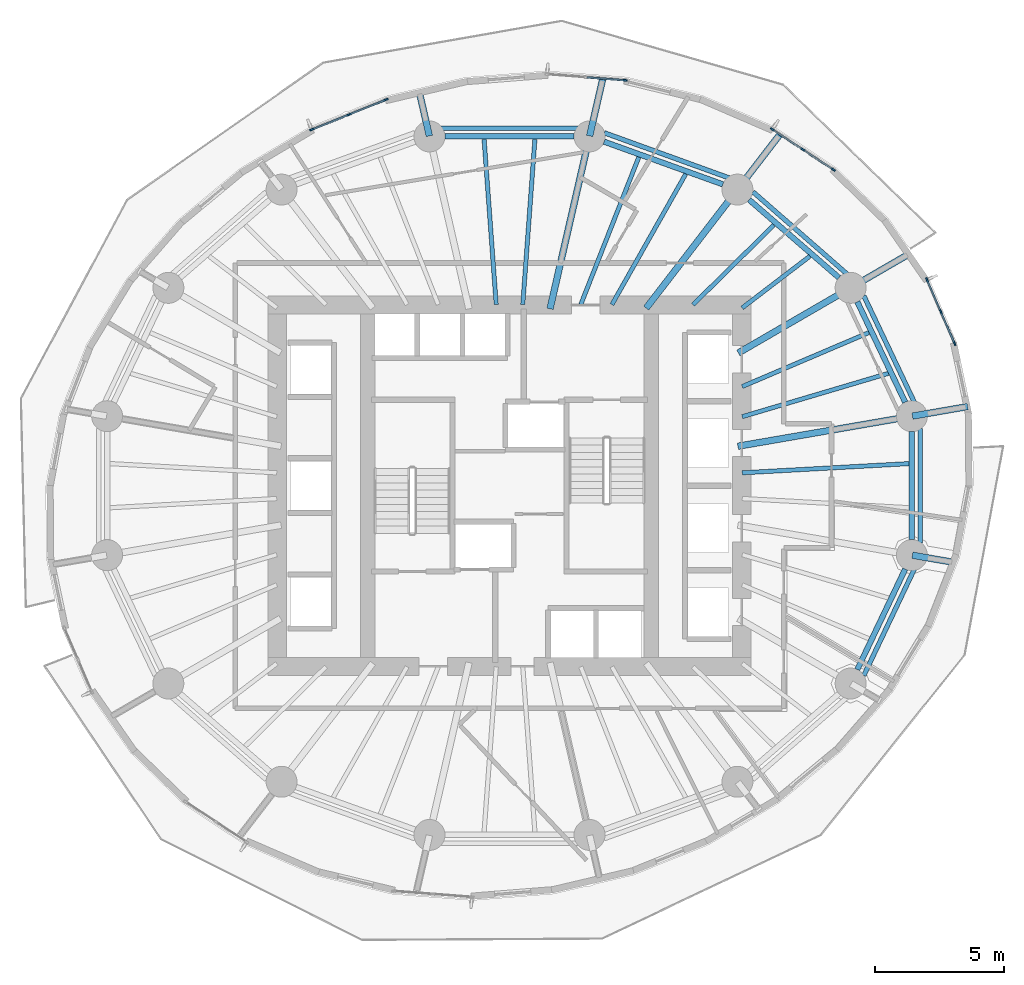
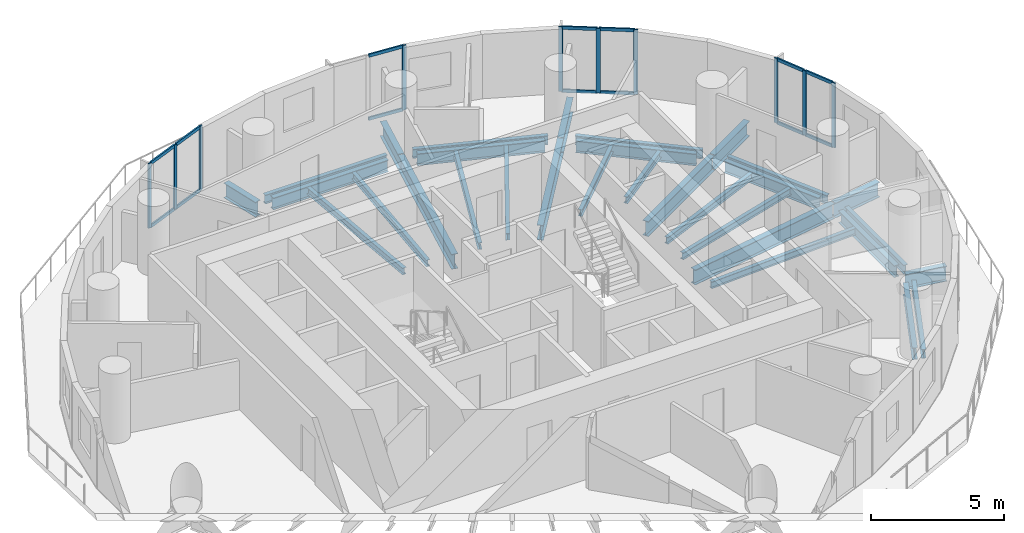
# One storey, part 4 of 14: 31 beams, 24 members, 4 elements without a shape of their own.
"""IFC4 building model written with IfcOpenShell, lengths in metres."""

from ifc_helpers import new_model, si_unit, direction, frame, origin, origin_2d, place, context, subcontext, project, spatial, rectangle, i_section, extrude, material, material_profile, profile_set, type_object, element, aggregate, save


model = new_model("IFC4")

# Units and contexts
model_context = context("Model", 3, precision=1e-05, world=origin(), true_north=direction((0.0, 1.0)))
body_context = subcontext(model_context, "Body", "Model", "MODEL_VIEW")
ifc_project = project(units=[si_unit("LENGTHUNIT", "METRE"), si_unit("AREAUNIT", "SQUARE_METRE"), si_unit("VOLUMEUNIT", "CUBIC_METRE"), si_unit("PLANEANGLEUNIT", "RADIAN"), si_unit("MASSUNIT", "GRAM", prefix="KILO")], contexts=[model_context])

# Site, building, storey
site_placement = place(None, origin())
site = spatial("IfcSite", under=ifc_project, at=site_placement, CompositionType="ELEMENT")
building_placement = place(site_placement, origin())
building = spatial("IfcBuilding", under=site, at=building_placement, Name="Veldorim Arch Residences", CompositionType="ELEMENT")
storey_placement = place(building_placement, frame((0.0, 0.0, 74.080078125)))
storey = spatial("IfcBuildingStorey", under=building, at=storey_placement, Name="L21", CompositionType="ELEMENT", Elevation=74.080078125)

# Beams
ifc_material_1 = material(Name="Steel S355", Category="steel")
ifc_material_profile_1 = material_profile(ifc_material_1, i_section(OverallWidth=0.2119140625, OverallDepth=0.54443359375, WebThickness=0.0126953125, FlangeThickness=0.021240234375, at=origin_2d()), Name="UB533x210x122")
ifc_profile_set_1 = profile_set([ifc_material_profile_1], Name="Steel S355")
beam_type_1 = type_object("IfcBeamType", Name="Structural Steel Beam UB533x210x122", PredefinedType="BEAM", material=ifc_profile_set_1)
beam_1_placement = place(storey_placement, frame((47.336181640625, 27.233642578125, -0.51220703125), z_axis=(-0.430720154476, 0.902485539235, 0.0), x_axis=(-0.902485539235, -0.430720154476, 0.0)))
element("IfcBeam", 1, at=beam_1_placement, inside=storey, type_object=beam_type_1, Name="L21 perimeter ring tie beam 01", PredefinedType="BEAM", context=body_context, shape_type="SweptSolid", body=[
    extrude(i_section(OverallWidth=0.2119140625, OverallDepth=0.54443359375, WebThickness=0.0126953125, FlangeThickness=0.021240234375, at=origin_2d()), origin(), (0.0, 0.0, 1.0), 4.312255859375),
])
beam_2_placement = place(storey_placement, frame((44.767333984375, 32.060302734375, -0.51220703125), z_axis=(-0.755244952556, 0.655442645576, 0.0), x_axis=(-0.655442645576, -0.755244952556, 0.0)))
element("IfcBeam", 2, at=beam_2_placement, inside=storey, type_object=beam_type_1, Name="L21 perimeter ring tie beam 02", PredefinedType="BEAM", context=body_context, shape_type="SweptSolid", body=[
    extrude(i_section(OverallWidth=0.2119140625, OverallDepth=0.54443359375, WebThickness=0.0126953125, FlangeThickness=0.021240234375, at=origin_2d()), origin(), (0.0, 0.0, 1.0), 4.608642578125),
])
beam_3_placement = place(storey_placement, frame((40.26904296875, 35.67724609375, -0.51220703125), z_axis=(-0.941041944493, 0.338289903343, 0.0), x_axis=(-0.338289903343, -0.941041944493, 0.0)))
element("IfcBeam", 3, at=beam_3_placement, inside=storey, type_object=beam_type_1, Name="L21 perimeter ring tie beam 03", PredefinedType="BEAM", context=body_context, shape_type="SweptSolid", body=[
    extrude(i_section(OverallWidth=0.2119140625, OverallDepth=0.54443359375, WebThickness=0.0126953125, FlangeThickness=0.021240234375, at=origin_2d()), origin(), (0.0, 0.0, 1.0), 4.890869140625),
])
beam_4_placement = place(storey_placement, frame((34.501953125, 37.534912109375, -0.51220703125), z_axis=(-1.0, 0.0, 0.0), x_axis=(0.0, -1.0, 0.0)))
element("IfcBeam", 4, at=beam_4_placement, inside=storey, type_object=beam_type_1, Name="L21 perimeter ring tie beam 04", PredefinedType="BEAM", context=body_context, shape_type="SweptSolid", body=[
    extrude(i_section(OverallWidth=0.2119140625, OverallDepth=0.54443359375, WebThickness=0.0126953125, FlangeThickness=0.021240234375, at=origin_2d()), origin(), (0.0, 0.0, 1.0), 5.00390625),
])
beam_5_placement = place(storey_placement, frame((45.478759765625, 16.87451171875, -0.51220703125), z_axis=(0.430720154476, 0.902485539235, 0.0), x_axis=(-0.902485539235, 0.430720154476, 0.0)))
element("IfcBeam", 5, at=beam_5_placement, inside=storey, type_object=beam_type_1, Name="L21 perimeter ring tie beam 15", PredefinedType="BEAM", context=body_context, shape_type="SweptSolid", body=[
    extrude(i_section(OverallWidth=0.2119140625, OverallDepth=0.54443359375, WebThickness=0.0126953125, FlangeThickness=0.021240234375, at=origin_2d()), origin(), (0.0, 0.0, 1.0), 4.312255859375),
])
beam_6_placement = place(storey_placement, frame((47.594482421875, 21.90771484375, -0.51220703125), z_axis=(0.0, 1.0, 0.0), x_axis=(-1.0, 0.0, 0.0)))
element("IfcBeam", 6, at=beam_6_placement, inside=storey, type_object=beam_type_1, Name="L21 perimeter ring tie beam 16", PredefinedType="BEAM", context=body_context, shape_type="SweptSolid", body=[
    extrude(i_section(OverallWidth=0.2119140625, OverallDepth=0.54443359375, WebThickness=0.0126953125, FlangeThickness=0.021240234375, at=origin_2d()), origin(), (0.0, 0.0, 1.0), 4.1845703125),
])
ifc_material_2 = material(Name="Steel S355", Category="steel")
ifc_material_profile_2 = material_profile(ifc_material_2, i_section(OverallWidth=0.25439453125, OverallDepth=0.6875, WebThickness=0.01318359375, FlangeThickness=0.02099609375, at=origin_2d()), Name="UB686x254x152")
ifc_profile_set_2 = profile_set([ifc_material_profile_2], Name="Steel S355")
beam_type_2 = type_object("IfcBeamType", Name="Structural Steel GIRDER UB686x254x152", PredefinedType="USERDEFINED", material=ifc_profile_set_2)
beam_7_placement = place(storey_placement, frame((40.852294921875, 25.5283203125, -0.583740234375), z_axis=(0.985426622718, 0.17010106184, 0.0), x_axis=(-0.17010106184, 0.985426622718, 0.0)))
element("IfcBeam", 7, at=beam_7_placement, inside=storey, type_object=beam_type_2, Name="L21 radial floor girder 01", ObjectType="GIRDER", PredefinedType="USERDEFINED", context=body_context, shape_type="SweptSolid", body=[
    extrude(i_section(OverallWidth=0.25439453125, OverallDepth=0.6875, WebThickness=0.01318359375, FlangeThickness=0.02099609375, at=origin_2d()), origin(), (0.0, 0.0, 1.0), 6.82177734375),
])
beam_8_placement = place(storey_placement, frame((47.6142578125, 26.695556640625, -0.583740234375), z_axis=(0.985415364323, 0.170166270909, 0.0), x_axis=(-0.170166270909, 0.985415364323, 0.0)))
element("IfcBeam", 8, at=beam_8_placement, inside=storey, type_object=beam_type_2, Name="L21 radial edge cantilever girder 01", ObjectType="GIRDER", PredefinedType="USERDEFINED", context=body_context, shape_type="SweptSolid", body=[
    extrude(i_section(OverallWidth=0.25439453125, OverallDepth=0.6875, WebThickness=0.01318359375, FlangeThickness=0.02099609375, at=origin_2d()), origin(), (0.0, 0.0, 1.0), 2.175048828125),
])
beam_9_placement = place(storey_placement, frame((40.8701171875, 29.14404296875, -0.583740234375), z_axis=(0.865048957682, 0.501687453314, 0.0), x_axis=(-0.501687453314, 0.865048957682, 0.0)))
element("IfcBeam", 9, at=beam_9_placement, inside=storey, type_object=beam_type_2, Name="L21 radial floor girder 02", ObjectType="GIRDER", PredefinedType="USERDEFINED", context=body_context, shape_type="SweptSolid", body=[
    extrude(i_section(OverallWidth=0.25439453125, OverallDepth=0.6875, WebThickness=0.01318359375, FlangeThickness=0.02099609375, at=origin_2d()), origin(), (0.0, 0.0, 1.0), 5.009033203125),
])
beam_10_placement = place(storey_placement, frame((45.23779296875, 31.677001953125, -0.583740234375), z_axis=(0.86504998688, 0.501685678687, 0.0), x_axis=(-0.501685678687, 0.86504998688, 0.0)))
element("IfcBeam", 10, at=beam_10_placement, inside=storey, type_object=beam_type_2, Name="L21 radial edge cantilever girder 02", ObjectType="GIRDER", PredefinedType="USERDEFINED", context=body_context, shape_type="SweptSolid", body=[
    extrude(i_section(OverallWidth=0.25439453125, OverallDepth=0.6875, WebThickness=0.01318359375, FlangeThickness=0.02099609375, at=origin_2d()), origin(), (0.0, 0.0, 1.0), 2.5927734375),
])
beam_11_placement = place(storey_placement, frame((37.297607421875, 30.881103515625, -0.583740234375), z_axis=(0.609994628196, 0.792405548676, 0.0), x_axis=(-0.792405548676, 0.609994628196, 0.0)))
element("IfcBeam", 11, at=beam_11_placement, inside=storey, type_object=beam_type_2, Name="L21 radial floor girder 03", ObjectType="GIRDER", PredefinedType="USERDEFINED", context=body_context, shape_type="SweptSolid", body=[
    extrude(i_section(OverallWidth=0.25439453125, OverallDepth=0.6875, WebThickness=0.01318359375, FlangeThickness=0.02099609375, at=origin_2d()), origin(), (0.0, 0.0, 1.0), 5.776611328125),
])
beam_12_placement = place(storey_placement, frame((40.845703125, 35.489990234375, -0.583740234375), z_axis=(0.609966828657, 0.792426948014, 0.0), x_axis=(-0.792426948014, 0.609966828657, 0.0)))
element("IfcBeam", 12, at=beam_12_placement, inside=storey, type_object=beam_type_2, Name="L21 radial edge cantilever girder 03", ObjectType="GIRDER", PredefinedType="USERDEFINED", context=body_context, shape_type="SweptSolid", body=[
    extrude(i_section(OverallWidth=0.25439453125, OverallDepth=0.6875, WebThickness=0.01318359375, FlangeThickness=0.02099609375, at=origin_2d()), origin(), (0.0, 0.0, 1.0), 2.672119140625),
])
beam_13_placement = place(storey_placement, frame((33.57080078125, 30.853759765625, -0.583740234375), z_axis=(0.223374742148, 0.97473264261, 0.0), x_axis=(-0.97473264261, 0.223374742148, 0.0)))
element("IfcBeam", 13, at=beam_13_placement, inside=storey, type_object=beam_type_2, Name="L21 radial floor girder 04", ObjectType="GIRDER", PredefinedType="USERDEFINED", context=body_context, shape_type="SweptSolid", body=[
    extrude(i_section(OverallWidth=0.25439453125, OverallDepth=0.6875, WebThickness=0.01318359375, FlangeThickness=0.02099609375, at=origin_2d()), origin(), (0.0, 0.0, 1.0), 6.834228515625),
])
beam_14_placement = place(storey_placement, frame((35.1064453125, 37.55419921875, -0.583740234375), z_axis=(0.223344244507, 0.974739631104, 0.0), x_axis=(-0.974739631104, 0.223344244507, 0.0)))
element("IfcBeam", 14, at=beam_14_placement, inside=storey, type_object=beam_type_2, Name="L21 radial edge cantilever girder 04", ObjectType="GIRDER", PredefinedType="USERDEFINED", context=body_context, shape_type="SweptSolid", body=[
    extrude(i_section(OverallWidth=0.25439453125, OverallDepth=0.6875, WebThickness=0.01318359375, FlangeThickness=0.02099609375, at=origin_2d()), origin(), (0.0, 0.0, 1.0), 2.271484375),
])
beam_15_placement = place(storey_placement, frame((28.8935546875, 37.55419921875, -0.583740234375), z_axis=(-0.223279477519, 0.974754469043, 0.0), x_axis=(-0.974754469043, -0.223279477519, 0.0)))
element("IfcBeam", 15, at=beam_15_placement, inside=storey, type_object=beam_type_2, Name="L21 radial edge cantilever girder 05", ObjectType="GIRDER", PredefinedType="USERDEFINED", context=body_context, shape_type="SweptSolid", body=[
    extrude(i_section(OverallWidth=0.25439453125, OverallDepth=0.6875, WebThickness=0.01318359375, FlangeThickness=0.02099609375, at=origin_2d()), origin(), (0.0, 0.0, 1.0), 1.74951171875),
])
beam_16_placement = place(storey_placement, frame((47.6142578125, 21.304443359375, -0.583740234375), z_axis=(0.985419516266, -0.170142225688, 0.0), x_axis=(0.170142225688, 0.985419516266, 0.0)))
element("IfcBeam", 16, at=beam_16_placement, inside=storey, type_object=beam_type_2, Name="L21 radial edge cantilever girder 16", ObjectType="GIRDER", PredefinedType="USERDEFINED", context=body_context, shape_type="SweptSolid", body=[
    extrude(i_section(OverallWidth=0.25439453125, OverallDepth=0.6875, WebThickness=0.01318359375, FlangeThickness=0.02099609375, at=origin_2d()), origin(), (0.0, 0.0, 1.0), 1.633056640625),
])
ifc_material_3 = material(Name="Steel S355", Category="steel")
ifc_material_profile_3 = material_profile(ifc_material_3, i_section(OverallWidth=0.165771484375, OverallDepth=0.306640625, WebThickness=0.006591796875, FlangeThickness=0.01171875, at=origin_2d()), Name="UB305x165x46")
ifc_profile_set_3 = profile_set([ifc_material_profile_3], Name="Steel S355")
beam_type_3 = type_object("IfcBeamType", Name="Structural Steel Joist UB305x165x46", PredefinedType="JOIST", material=ifc_profile_set_3)
beam_17_placement = place(storey_placement, frame((41.019287109375, 26.673583984375, -0.393310546875), z_axis=(0.958753061488, 0.284240333324, 0.0), x_axis=(-0.284240333324, 0.958753061488, 0.0)))
element("IfcBeam", 17, at=beam_17_placement, inside=storey, type_object=beam_type_3, Name="L21 secondary radial floor joist 01-1", PredefinedType="JOIST", context=body_context, shape_type="SweptSolid", body=[
    extrude(i_section(OverallWidth=0.165771484375, OverallDepth=0.306640625, WebThickness=0.006591796875, FlangeThickness=0.01171875, at=origin_2d()), origin(), (0.0, 0.0, 1.0), 5.906005859375),
])
beam_18_placement = place(storey_placement, frame((41.018310546875, 27.841552734375, -0.393310546875), z_axis=(0.919997395122, 0.391924473552, 0.0), x_axis=(-0.391924473552, 0.919997395122, 0.0)))
element("IfcBeam", 18, at=beam_18_placement, inside=storey, type_object=beam_type_3, Name="L21 secondary radial floor joist 01-2", PredefinedType="JOIST", context=body_context, shape_type="SweptSolid", body=[
    extrude(i_section(OverallWidth=0.165771484375, OverallDepth=0.306640625, WebThickness=0.006591796875, FlangeThickness=0.01171875, at=origin_2d()), origin(), (0.0, 0.0, 1.0), 5.334716796875),
])
beam_19_placement = place(storey_placement, frame((41.015869140625, 30.888427734375, -0.393310546875), z_axis=(0.794594763594, 0.60714014994, 0.0), x_axis=(-0.60714014994, 0.794594763594, 0.0)))
element("IfcBeam", 19, at=beam_19_placement, inside=storey, type_object=beam_type_3, Name="L21 secondary radial floor joist 02-1", PredefinedType="JOIST", context=body_context, shape_type="SweptSolid", body=[
    extrude(i_section(OverallWidth=0.165771484375, OverallDepth=0.306640625, WebThickness=0.006591796875, FlangeThickness=0.01171875, at=origin_2d()), origin(), (0.0, 0.0, 1.0), 3.30419921875),
])
beam_20_placement = place(storey_placement, frame((39.114013671875, 31.013916015625, -0.393310546875), z_axis=(0.712111629941, 0.702066255066, 0.0), x_axis=(-0.702066255066, 0.712111629941, 0.0)))
element("IfcBeam", 20, at=beam_20_placement, inside=storey, type_object=beam_type_3, Name="L21 secondary radial floor joist 02-2", PredefinedType="JOIST", context=body_context, shape_type="SweptSolid", body=[
    extrude(i_section(OverallWidth=0.165771484375, OverallDepth=0.306640625, WebThickness=0.006591796875, FlangeThickness=0.01171875, at=origin_2d()), origin(), (0.0, 0.0, 1.0), 4.39892578125),
])
beam_21_placement = place(storey_placement, frame((35.96826171875, 31.017333984375, -0.393310546875), z_axis=(0.492227411199, 0.870466642476, 0.0), x_axis=(-0.870466642476, 0.492227411199, 0.0)))
element("IfcBeam", 21, at=beam_21_placement, inside=storey, type_object=beam_type_3, Name="L21 secondary radial floor joist 03-1", PredefinedType="JOIST", context=body_context, shape_type="SweptSolid", body=[
    extrude(i_section(OverallWidth=0.165771484375, OverallDepth=0.306640625, WebThickness=0.006591796875, FlangeThickness=0.01171875, at=origin_2d()), origin(), (0.0, 0.0, 1.0), 5.81494140625),
])
beam_22_placement = place(storey_placement, frame((34.761962890625, 31.0185546875, -0.393310546875), z_axis=(0.366194870364, 0.930538186707, 0.0), x_axis=(-0.930538186707, 0.366194870364, 0.0)))
element("IfcBeam", 22, at=beam_22_placement, inside=storey, type_object=beam_type_3, Name="L21 secondary radial floor joist 03-2", PredefinedType="JOIST", context=body_context, shape_type="SweptSolid", body=[
    extrude(i_section(OverallWidth=0.165771484375, OverallDepth=0.306640625, WebThickness=0.006591796875, FlangeThickness=0.01171875, at=origin_2d()), origin(), (0.0, 0.0, 1.0), 6.1396484375),
])
for number, where, z_axis, x_axis, name in (
    (23, (32.514892578125, 31.02001953125, -0.393310546875), (0.073143494169, 0.997321427254, 0.0), (-0.997321427254, 0.073143494169, 0.0), "L21 secondary radial floor joist 04-1"),
    (24, (31.485107421875, 31.02001953125, -0.393310546875), (-0.073143494169, 0.997321427254, 0.0), (-0.997321427254, -0.073143494169, 0.0), "L21 secondary radial floor joist 04-2"),
):
    element("IfcBeam", number, at=place(storey_placement, frame(where, z_axis=z_axis, x_axis=x_axis)), inside=storey, type_object=beam_type_3, Name=name, PredefinedType="JOIST", context=body_context, shape_type="SweptSolid", body=[
        extrude(i_section(OverallWidth=0.165771484375, OverallDepth=0.306640625, WebThickness=0.006591796875, FlangeThickness=0.01171875, at=origin_2d()), origin(), (0.0, 0.0, 1.0), 6.421875),
    ])
beam_23_placement = place(storey_placement, frame((41.02001953125, 24.498291015625, -0.393310546875), z_axis=(0.99847713097, 0.055167190702, 0.0), x_axis=(-0.055167190702, 0.99847713097, 0.0)))
element("IfcBeam", 25, at=beam_23_placement, inside=storey, type_object=beam_type_3, Name="L21 secondary radial floor joist 16-2", PredefinedType="JOIST", context=body_context, shape_type="SweptSolid", body=[
    extrude(i_section(OverallWidth=0.165771484375, OverallDepth=0.306640625, WebThickness=0.006591796875, FlangeThickness=0.01171875, at=origin_2d()), origin(), (0.0, 0.0, 1.0), 6.474365234375),
])
ifc_material_4 = material(Name="Steel S355", Category="steel")
ifc_material_profile_4 = material_profile(ifc_material_4, i_section(OverallWidth=0.1787109375, OverallDepth=0.409423828125, WebThickness=0.0087890625, FlangeThickness=0.014404296875, at=origin_2d()), Name="UB406x178x67")
ifc_profile_set_4 = profile_set([ifc_material_profile_4], Name="Steel S355")
beam_type_4 = type_object("IfcBeamType", Name="Structural Steel Spandrel UB406x178x67", PredefinedType="SPANDREL", material=ifc_profile_set_4)
beam_24_placement = place(storey_placement, frame((47.693115234375, 27.225341796875, -0.46484375), z_axis=(-0.428857472204, 0.903372165021, 0.0), x_axis=(-0.903372165021, -0.428857472204, 0.0)))
element("IfcBeam", 26, at=beam_24_placement, inside=storey, type_object=beam_type_4, Name="L21 perimeter chord spandrel beam 01", PredefinedType="SPANDREL", context=body_context, shape_type="SweptSolid", body=[
    extrude(i_section(OverallWidth=0.1787109375, OverallDepth=0.409423828125, WebThickness=0.0087890625, FlangeThickness=0.014404296875, at=origin_2d()), origin(), (0.0, 0.0, 1.0), 4.572021484375),
])
beam_25_placement = place(storey_placement, frame((45.108154296875, 32.1796875, -0.46484375), z_axis=(-0.753323239074, 0.65765043714, 0.0), x_axis=(-0.65765043714, -0.753323239074, 0.0)))
element("IfcBeam", 27, at=beam_25_placement, inside=storey, type_object=beam_type_4, Name="L21 perimeter chord spandrel beam 02", PredefinedType="SPANDREL", context=body_context, shape_type="SweptSolid", body=[
    extrude(i_section(OverallWidth=0.1787109375, OverallDepth=0.409423828125, WebThickness=0.0087890625, FlangeThickness=0.014404296875, at=origin_2d()), origin(), (0.0, 0.0, 1.0), 4.879150390625),
])
beam_26_placement = place(storey_placement, frame((40.538330078125, 35.91552734375, -0.46484375), z_axis=(-0.940307501418, 0.340326024244, 0.0), x_axis=(-0.340326024244, -0.940307501418, 0.0)))
element("IfcBeam", 28, at=beam_26_placement, inside=storey, type_object=beam_type_4, Name="L21 perimeter chord spandrel beam 03", PredefinedType="SPANDREL", context=body_context, shape_type="SweptSolid", body=[
    extrude(i_section(OverallWidth=0.1787109375, OverallDepth=0.409423828125, WebThickness=0.0087890625, FlangeThickness=0.014404296875, at=origin_2d()), origin(), (0.0, 0.0, 1.0), 5.175048828125),
])
beam_27_placement = place(storey_placement, frame((34.647705078125, 37.8564453125, -0.46484375), z_axis=(-1.0, 0.0, 0.0), x_axis=(0.0, -1.0, 0.0)))
element("IfcBeam", 29, at=beam_27_placement, inside=storey, type_object=beam_type_4, Name="L21 perimeter chord spandrel beam 04", PredefinedType="SPANDREL", context=body_context, shape_type="SweptSolid", body=[
    extrude(i_section(OverallWidth=0.1787109375, OverallDepth=0.409423828125, WebThickness=0.0087890625, FlangeThickness=0.014404296875, at=origin_2d()), origin(), (0.0, 0.0, 1.0), 5.29541015625),
])
beam_28_placement = place(storey_placement, frame((45.732421875, 16.64453125, -0.46484375), z_axis=(0.428857472204, 0.903372165021, 0.0), x_axis=(-0.903372165021, 0.428857472204, 0.0)))
element("IfcBeam", 30, at=beam_28_placement, inside=storey, type_object=beam_type_4, Name="L21 perimeter chord spandrel beam 15", PredefinedType="SPANDREL", context=body_context, shape_type="SweptSolid", body=[
    extrude(i_section(OverallWidth=0.1787109375, OverallDepth=0.409423828125, WebThickness=0.0087890625, FlangeThickness=0.014404296875, at=origin_2d()), origin(), (0.0, 0.0, 1.0), 4.572021484375),
])
beam_29_placement = place(storey_placement, frame((47.919677734375, 21.77978515625, -0.46484375), z_axis=(0.0, 1.0, 0.0), x_axis=(-1.0, 0.0, 0.0)))
element("IfcBeam", 31, at=beam_29_placement, inside=storey, type_object=beam_type_4, Name="L21 perimeter chord spandrel beam 16", PredefinedType="SPANDREL", context=body_context, shape_type="SweptSolid", body=[
    extrude(i_section(OverallWidth=0.1787109375, OverallDepth=0.409423828125, WebThickness=0.0087890625, FlangeThickness=0.014404296875, at=origin_2d()), origin(), (0.0, 0.0, 1.0), 4.4404296875),
])

# Curtain wall, members
ifc_material_5 = material(Name="Aluminium", Category="aluminium")
curtain_wall_type = type_object("IfcCurtainWallType", Name="Zone 2 Solar-Control Unitised Curtain Wall", PredefinedType="NOTDEFINED", material=ifc_material_5)
curtain_wall_1_placement = place(storey_placement, origin())
curtain_wall_1 = element("IfcCurtainWall", 32, at=curtain_wall_1_placement, inside=storey, type_object=curtain_wall_type, Name="L21 unitised curtain wall bay 01", PredefinedType="NOTDEFINED")
ifc_material_6 = material(Name="Aluminium", Category="aluminium")
ifc_material_profile_5 = material_profile(ifc_material_6, rectangle(XDim=0.06494140625, YDim=0.1650390625, at=origin_2d()), Name="ALU_MUL_65x165")
ifc_profile_set_5 = profile_set([ifc_material_profile_5], Name="Aluminium")
member_type_1 = type_object("IfcMemberType", Name="Zone 2 Solar-Control Unitised Curtain Wall Mullion 65x165", PredefinedType="MULLION", material=ifc_profile_set_5)
member_1_placement = place(storey_placement, frame((48.1796875, 31.98046875, 0.0), z_axis=(0.0, 0.0, 1.0), x_axis=(0.917796682643, 0.397050688615, 0.0)))
member_1 = element("IfcMember", 33, at=member_1_placement, type_object=member_type_1, Name="CW-Z2 mullion 1", PredefinedType="MULLION", context=body_context, shape_type="SweptSolid", body=[
    extrude(rectangle(XDim=0.06494140625, YDim=0.1650390625, at=origin_2d()), origin(), (0.0, 0.0, 1.0), 2.9599609375),
])
member_2_placement = place(storey_placement, frame((48.714111328125, 30.744873046875, 0.0), z_axis=(0.0, 0.0, 1.0), x_axis=(0.917796682643, 0.397050688615, 0.0)))
member_2 = element("IfcMember", 34, at=member_2_placement, type_object=member_type_1, Name="CW-Z2 mullion 2", PredefinedType="MULLION", context=body_context, shape_type="SweptSolid", body=[
    extrude(rectangle(XDim=0.06494140625, YDim=0.1650390625, at=origin_2d()), origin(), (0.0, 0.0, 1.0), 2.9599609375),
])
member_3_placement = place(storey_placement, frame((49.248779296875, 29.50927734375, 0.0), z_axis=(0.0, 0.0, 1.0), x_axis=(0.917796682643, 0.397050688615, 0.0)))
member_3 = element("IfcMember", 35, at=member_3_placement, type_object=member_type_1, Name="CW-Z2 mullion 3", PredefinedType="MULLION", context=body_context, shape_type="SweptSolid", body=[
    extrude(rectangle(XDim=0.06494140625, YDim=0.1650390625, at=origin_2d()), origin(), (0.0, 0.0, 1.0), 2.9599609375),
])

curtain_wall_2_placement = place(storey_placement, origin())
curtain_wall_2 = element("IfcCurtainWall", 36, at=curtain_wall_2_placement, inside=storey, type_object=curtain_wall_type, Name="L21 unitised curtain wall bay 04", PredefinedType="NOTDEFINED")
member_4_placement = place(storey_placement, frame((42.186279296875, 37.810302734375, 0.0), z_axis=(0.0, 0.0, 1.0), x_axis=(0.551503414596, 0.834172634224, 0.0)))
member_4 = element("IfcMember", 37, at=member_4_placement, type_object=member_type_1, Name="CW-Z2 mullion 1", PredefinedType="MULLION", context=body_context, shape_type="SweptSolid", body=[
    extrude(rectangle(XDim=0.06494140625, YDim=0.1650390625, at=origin_2d()), origin(), (0.0, 0.0, 1.0), 2.9599609375),
])
member_5_placement = place(storey_placement, frame((43.3681640625, 37.029052734375, 0.0), z_axis=(0.0, 0.0, 1.0), x_axis=(0.551503414596, 0.834172634224, 0.0)))
member_5 = element("IfcMember", 38, at=member_5_placement, type_object=member_type_1, Name="CW-Z2 mullion 2", PredefinedType="MULLION", context=body_context, shape_type="SweptSolid", body=[
    extrude(rectangle(XDim=0.06494140625, YDim=0.1650390625, at=origin_2d()), origin(), (0.0, 0.0, 1.0), 2.9599609375),
])
member_6_placement = place(storey_placement, frame((44.5498046875, 36.247802734375, 0.0), z_axis=(0.0, 0.0, 1.0), x_axis=(0.551503414596, 0.834172634224, 0.0)))
member_6 = element("IfcMember", 39, at=member_6_placement, type_object=member_type_1, Name="CW-Z2 mullion 3", PredefinedType="MULLION", context=body_context, shape_type="SweptSolid", body=[
    extrude(rectangle(XDim=0.06494140625, YDim=0.1650390625, at=origin_2d()), origin(), (0.0, 0.0, 1.0), 2.9599609375),
])

# Curtain wall, member
curtain_wall_3_placement = place(storey_placement, origin())
curtain_wall_3 = element("IfcCurtainWall", 40, at=curtain_wall_3_placement, inside=storey, type_object=curtain_wall_type, Name="L21 unitised curtain wall bay 07", PredefinedType="NOTDEFINED")
member_7_placement = place(storey_placement, frame((36.486328125, 39.710205078125, 0.0), z_axis=(0.0, 0.0, 1.0), x_axis=(0.076696498885, 0.997054485502, 0.0)))
member_7 = element("IfcMember", 41, at=member_7_placement, type_object=member_type_1, Name="CW-Z2 mullion 3", PredefinedType="MULLION", context=body_context, shape_type="SweptSolid", body=[
    extrude(rectangle(XDim=0.06494140625, YDim=0.1650390625, at=origin_2d()), origin(), (0.0, 0.0, 1.0), 2.9599609375),
])

# Curtain wall, members
curtain_wall_4_placement = place(storey_placement, origin())
curtain_wall_4 = element("IfcCurtainWall", 42, at=curtain_wall_4_placement, inside=storey, type_object=curtain_wall_type, Name="L21 unitised curtain wall bay 10", PredefinedType="NOTDEFINED")
member_8_placement = place(storey_placement, frame((24.3369140625, 37.79931640625, 0.0), z_axis=(0.0, 0.0, 1.0), x_axis=(-0.374353496038, 0.927286072366, 0.0)))
member_8 = element("IfcMember", 43, at=member_8_placement, type_object=member_type_1, Name="CW-Z2 mullion 1", PredefinedType="MULLION", context=body_context, shape_type="SweptSolid", body=[
    extrude(rectangle(XDim=0.06494140625, YDim=0.1650390625, at=origin_2d()), origin(), (0.0, 0.0, 1.0), 2.9599609375),
])
member_9_placement = place(storey_placement, frame((25.776123046875, 38.38037109375, 0.0), z_axis=(0.0, 0.0, 1.0), x_axis=(-0.374353496038, 0.927286072366, 0.0)))
member_9 = element("IfcMember", 44, at=member_9_placement, type_object=member_type_1, Name="CW-Z2 mullion 2", PredefinedType="MULLION", context=body_context, shape_type="SweptSolid", body=[
    extrude(rectangle(XDim=0.06494140625, YDim=0.1650390625, at=origin_2d()), origin(), (0.0, 0.0, 1.0), 2.9599609375),
])
member_10_placement = place(storey_placement, frame((27.215576171875, 38.96142578125, 0.0), z_axis=(0.0, 0.0, 1.0), x_axis=(-0.374353496038, 0.927286072366, 0.0)))
member_10 = element("IfcMember", 45, at=member_10_placement, type_object=member_type_1, Name="CW-Z2 mullion 3", PredefinedType="MULLION", context=body_context, shape_type="SweptSolid", body=[
    extrude(rectangle(XDim=0.06494140625, YDim=0.1650390625, at=origin_2d()), origin(), (0.0, 0.0, 1.0), 2.9599609375),
])

# Member
ifc_material_7 = material(Name="Aluminium", Category="aluminium")
ifc_material_profile_6 = material_profile(ifc_material_7, rectangle(XDim=0.06494140625, YDim=0.14501953125, at=origin_2d()), Name="ALU_TRN_65x145")
ifc_profile_set_6 = profile_set([ifc_material_profile_6], Name="Aluminium")
member_type_2 = type_object("IfcMemberType", Name="Zone 2 Solar-Control Unitised Curtain Wall Transom 65x145", PredefinedType="USERDEFINED", material=ifc_profile_set_6)
member_11_placement = place(storey_placement, frame((48.192626953125, 31.95068359375, 0.032470703125), z_axis=(0.396906812101, -0.917858912093, 0.0), x_axis=(0.917858912093, 0.396906812101, 0.0)))
member_11 = element("IfcMember", 46, at=member_11_placement, type_object=member_type_2, Name="CW-Z2 transom 1.1", ObjectType="TRANSOM", PredefinedType="USERDEFINED", context=body_context, shape_type="SweptSolid", body=[
    extrude(rectangle(XDim=0.06494140625, YDim=0.14501953125, at=origin_2d()), origin(), (0.0, 0.0, 1.0), 1.28125),
])

member_12_placement = place(storey_placement, frame((48.192626953125, 31.95068359375, 2.927490234375), z_axis=(0.396906812101, -0.917858912093, 0.0), x_axis=(0.917858912093, 0.396906812101, 0.0)))
member_12 = element("IfcMember", 47, at=member_12_placement, type_object=member_type_2, Name="CW-Z2 transom 1.2", ObjectType="TRANSOM", PredefinedType="USERDEFINED", context=body_context, shape_type="SweptSolid", body=[
    extrude(rectangle(XDim=0.06494140625, YDim=0.14501953125, at=origin_2d()), origin(), (0.0, 0.0, 1.0), 1.28125),
])

member_13_placement = place(storey_placement, frame((48.72705078125, 30.715087890625, 0.032470703125), z_axis=(0.397067322017, -0.91778948664, 0.0), x_axis=(0.91778948664, 0.397067322017, 0.0)))
member_13 = element("IfcMember", 48, at=member_13_placement, type_object=member_type_2, Name="CW-Z2 transom 2.1", ObjectType="TRANSOM", PredefinedType="USERDEFINED", context=body_context, shape_type="SweptSolid", body=[
    extrude(rectangle(XDim=0.06494140625, YDim=0.14501953125, at=origin_2d()), origin(), (0.0, 0.0, 1.0), 1.28125),
])

member_14_placement = place(storey_placement, frame((48.72705078125, 30.715087890625, 2.927490234375), z_axis=(0.397067322017, -0.91778948664, 0.0), x_axis=(0.91778948664, 0.397067322017, 0.0)))
member_14 = element("IfcMember", 49, at=member_14_placement, type_object=member_type_2, Name="CW-Z2 transom 2.2", ObjectType="TRANSOM", PredefinedType="USERDEFINED", context=body_context, shape_type="SweptSolid", body=[
    extrude(rectangle(XDim=0.06494140625, YDim=0.14501953125, at=origin_2d()), origin(), (0.0, 0.0, 1.0), 1.28125),
])

aggregate(curtain_wall_1, [member_1, member_2, member_3, member_11, member_12, member_13, member_14])

member_15_placement = place(storey_placement, frame((42.21337890625, 37.79248046875, 0.032470703125), z_axis=(0.834155806589, -0.551528866275, 0.0), x_axis=(0.551528866275, 0.834155806589, 0.0)))
member_15 = element("IfcMember", 50, at=member_15_placement, type_object=member_type_2, Name="CW-Z2 transom 1.1", ObjectType="TRANSOM", PredefinedType="USERDEFINED", context=body_context, shape_type="SweptSolid", body=[
    extrude(rectangle(XDim=0.06494140625, YDim=0.14501953125, at=origin_2d()), origin(), (0.0, 0.0, 1.0), 1.351806640625),
])

member_16_placement = place(storey_placement, frame((42.21337890625, 37.79248046875, 2.927490234375), z_axis=(0.834155806589, -0.551528866275, 0.0), x_axis=(0.551528866275, 0.834155806589, 0.0)))
member_16 = element("IfcMember", 51, at=member_16_placement, type_object=member_type_2, Name="CW-Z2 transom 1.2", ObjectType="TRANSOM", PredefinedType="USERDEFINED", context=body_context, shape_type="SweptSolid", body=[
    extrude(rectangle(XDim=0.06494140625, YDim=0.14501953125, at=origin_2d()), origin(), (0.0, 0.0, 1.0), 1.351806640625),
])

member_17_placement = place(storey_placement, frame((43.395263671875, 37.01123046875, 0.032470703125), z_axis=(0.834100860871, -0.551611959528, 0.0), x_axis=(0.551611959528, 0.834100860871, 0.0)))
member_17 = element("IfcMember", 52, at=member_17_placement, type_object=member_type_2, Name="CW-Z2 transom 2.1", ObjectType="TRANSOM", PredefinedType="USERDEFINED", context=body_context, shape_type="SweptSolid", body=[
    extrude(rectangle(XDim=0.06494140625, YDim=0.14501953125, at=origin_2d()), origin(), (0.0, 0.0, 1.0), 1.351806640625),
])

member_18_placement = place(storey_placement, frame((43.395263671875, 37.01123046875, 2.927490234375), z_axis=(0.834100860871, -0.551611959528, 0.0), x_axis=(0.551611959528, 0.834100860871, 0.0)))
member_18 = element("IfcMember", 53, at=member_18_placement, type_object=member_type_2, Name="CW-Z2 transom 2.2", ObjectType="TRANSOM", PredefinedType="USERDEFINED", context=body_context, shape_type="SweptSolid", body=[
    extrude(rectangle(XDim=0.06494140625, YDim=0.14501953125, at=origin_2d()), origin(), (0.0, 0.0, 1.0), 1.351806640625),
])

aggregate(curtain_wall_2, [member_4, member_5, member_6, member_15, member_16, member_17, member_18])

member_19_placement = place(storey_placement, frame((35.004638671875, 39.82421875, 0.032470703125), z_axis=(0.99704954324, -0.076760721237, 0.0), x_axis=(0.076760721237, 0.99704954324, 0.0)))
member_19 = element("IfcMember", 54, at=member_19_placement, type_object=member_type_2, Name="CW-Z2 transom 2.1", ObjectType="TRANSOM", PredefinedType="USERDEFINED", context=body_context, shape_type="SweptSolid", body=[
    extrude(rectangle(XDim=0.06494140625, YDim=0.14501953125, at=origin_2d()), origin(), (0.0, 0.0, 1.0), 1.45361328125),
])

member_20_placement = place(storey_placement, frame((35.004638671875, 39.82421875, 2.927490234375), z_axis=(0.99704954324, -0.076760721237, 0.0), x_axis=(0.076760721237, 0.99704954324, 0.0)))
member_20 = element("IfcMember", 55, at=member_20_placement, type_object=member_type_2, Name="CW-Z2 transom 2.2", ObjectType="TRANSOM", PredefinedType="USERDEFINED", context=body_context, shape_type="SweptSolid", body=[
    extrude(rectangle(XDim=0.06494140625, YDim=0.14501953125, at=origin_2d()), origin(), (0.0, 0.0, 1.0), 1.45361328125),
])

aggregate(curtain_wall_3, [member_7, member_19, member_20])

member_21_placement = place(storey_placement, frame((24.366943359375, 37.8115234375, 0.032470703125), z_axis=(0.927317450023, 0.374275763153, 0.0), x_axis=(-0.374275763153, 0.927317450023, 0.0)))
member_21 = element("IfcMember", 56, at=member_21_placement, type_object=member_type_2, Name="CW-Z2 transom 1.1", ObjectType="TRANSOM", PredefinedType="USERDEFINED", context=body_context, shape_type="SweptSolid", body=[
    extrude(rectangle(XDim=0.06494140625, YDim=0.14501953125, at=origin_2d()), origin(), (0.0, 0.0, 1.0), 1.4873046875),
])

member_22_placement = place(storey_placement, frame((24.366943359375, 37.8115234375, 2.927490234375), z_axis=(0.927317450023, 0.374275763153, 0.0), x_axis=(-0.374275763153, 0.927317450023, 0.0)))
member_22 = element("IfcMember", 57, at=member_22_placement, type_object=member_type_2, Name="CW-Z2 transom 1.2", ObjectType="TRANSOM", PredefinedType="USERDEFINED", context=body_context, shape_type="SweptSolid", body=[
    extrude(rectangle(XDim=0.06494140625, YDim=0.14501953125, at=origin_2d()), origin(), (0.0, 0.0, 1.0), 1.4873046875),
])

member_23_placement = place(storey_placement, frame((25.806396484375, 38.392578125, 0.032470703125), z_axis=(0.927317450023, 0.374275763153, 0.0), x_axis=(-0.374275763153, 0.927317450023, 0.0)))
member_23 = element("IfcMember", 58, at=member_23_placement, type_object=member_type_2, Name="CW-Z2 transom 2.1", ObjectType="TRANSOM", PredefinedType="USERDEFINED", context=body_context, shape_type="SweptSolid", body=[
    extrude(rectangle(XDim=0.06494140625, YDim=0.14501953125, at=origin_2d()), origin(), (0.0, 0.0, 1.0), 1.4873046875),
])

member_24_placement = place(storey_placement, frame((25.806396484375, 38.392578125, 2.927490234375), z_axis=(0.927317450023, 0.374275763153, 0.0), x_axis=(-0.374275763153, 0.927317450023, 0.0)))
member_24 = element("IfcMember", 59, at=member_24_placement, type_object=member_type_2, Name="CW-Z2 transom 2.2", ObjectType="TRANSOM", PredefinedType="USERDEFINED", context=body_context, shape_type="SweptSolid", body=[
    extrude(rectangle(XDim=0.06494140625, YDim=0.14501953125, at=origin_2d()), origin(), (0.0, 0.0, 1.0), 1.4873046875),
])

aggregate(curtain_wall_4, [member_8, member_9, member_10, member_21, member_22, member_23, member_24])

save(model, "model.ifc")
